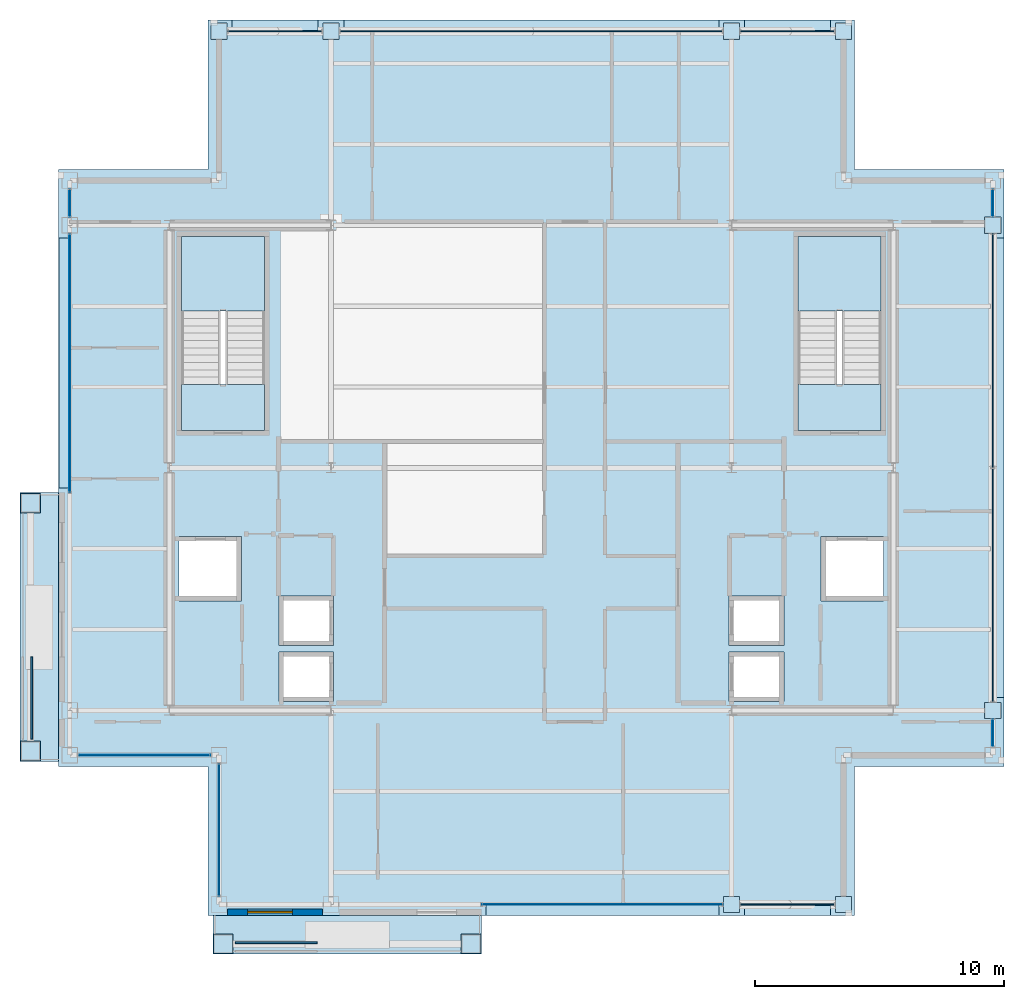
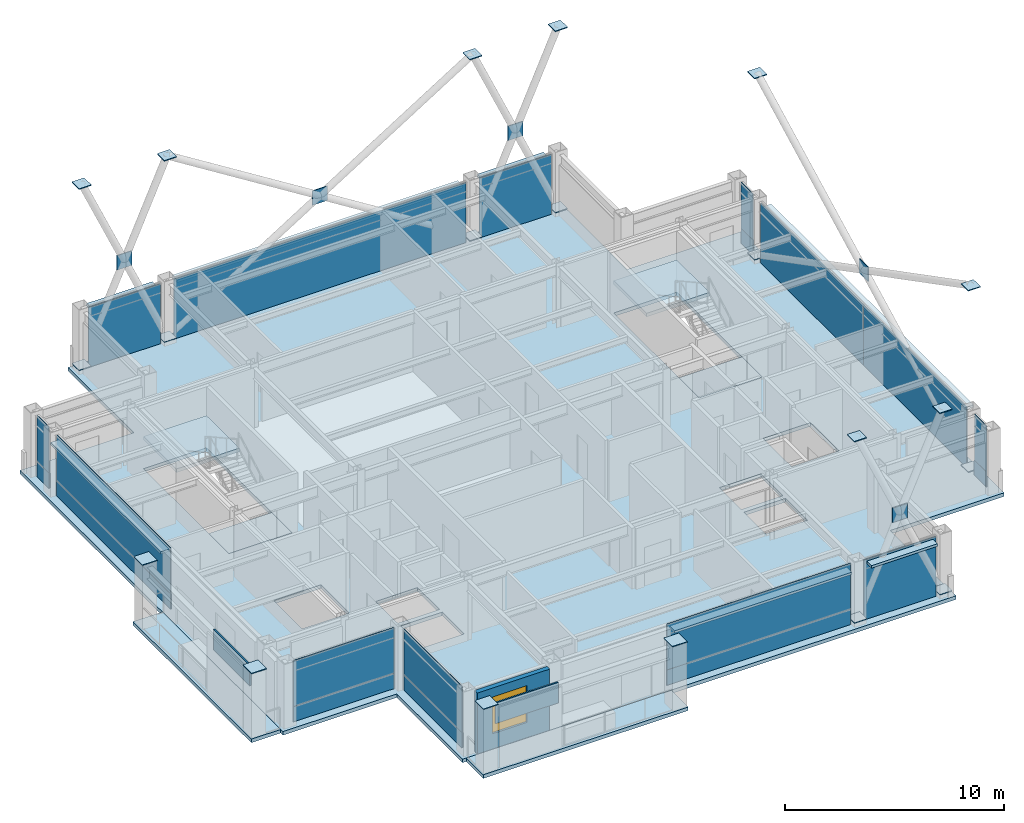
# One storey, part 20 of 26: 54 plates, 7 slabs, 1 wall, 1 window, 1 opening, 14 elements without a shape of their own.
"""IFC4 building model written with IfcOpenShell, lengths in metres."""

from ifc_helpers import new_model, si_unit, direction, frame, frame_2d, origin, origin_2d, place, context, subcontext, project, spatial, polyline, rectangle, outline, extrude, material, layer, layer_set, type_object, element, fill, aggregate, save


model = new_model("IFC4")

# Units and contexts
model_context = context("Model", 3, precision=1e-05, world=origin(), true_north=direction((0.0, 1.0)))
body_context = subcontext(model_context, "Body", "Model", "MODEL_VIEW")
ifc_project = project(units=[si_unit("LENGTHUNIT", "METRE"), si_unit("AREAUNIT", "SQUARE_METRE"), si_unit("VOLUMEUNIT", "CUBIC_METRE"), si_unit("PLANEANGLEUNIT", "RADIAN"), si_unit("MASSUNIT", "GRAM", prefix="KILO")], contexts=[model_context])

# Site, building, storey
site_placement = place(None, origin())
site = spatial("IfcSite", under=ifc_project, at=site_placement, CompositionType="ELEMENT")
building_placement = place(site_placement, origin())
building = spatial("IfcBuilding", under=site, at=building_placement, Name="Brelmoor Portico Tower", CompositionType="ELEMENT")
storey_placement = place(building_placement, frame((0.0, 0.0, 247.199951171875)))
storey = spatial("IfcBuildingStorey", under=building, at=storey_placement, Name="L65", CompositionType="ELEMENT", Elevation=247.199951171875)

# Plates
ifc_material_1 = material(Name="Steel Q355B", Category="steel")
ifc_layer_1 = layer(ifc_material_1, 0.044921875)
ifc_layer_set_1 = layer_set([ifc_layer_1], Name="Steel Q355B")
plate_type_1 = type_object("IfcPlateType", Name="PT-CAP-650", PredefinedType="SHEET", material=ifc_layer_set_1)
for number, where, z_axis, x_axis, name in (
    (1, (-12.3798828125, -19.1298828125, 3.60009765625), (0.0, 0.0, 1.0), (1.0, 0.0, 0.0), "L65 Proud Picture-Frame Pier PFJ-S1 Welded Head Cap Plate"),
    (2, (-2.419921875, -19.1298828125, 3.60009765625), (0.0, 0.0, 1.0), (1.0, 0.0, 0.0), "L65 Proud Picture-Frame Pier PFJ-S2 Welded Head Cap Plate"),
    (3, (-20.1298828125, -11.3798828125, 3.60009765625), (0.0, 0.0, 1.0), (0.0, 1.0, 0.0), "L65 Proud Picture-Frame Pier PFJ-W1 Welded Head Cap Plate"),
    (4, (-20.1298828125, -1.419921875, 3.60009765625), (0.0, 0.0, 1.0), (0.0, 1.0, 0.0), "L65 Proud Picture-Frame Pier PFJ-W2 Welded Head Cap Plate"),
):
    element("IfcPlate", number, at=place(storey_placement, frame(where, z_axis=z_axis, x_axis=x_axis)), inside=storey, type_object=plate_type_1, Name=name, PredefinedType="SHEET", context=body_context, shape_type="SweptSolid", body=[
        extrude(rectangle(XDim=0.7900390625, YDim=0.7900390625, at=origin_2d()), origin(), (0.0, 0.0, 1.0), 0.0400390625),
    ])
for number, where, z_axis, x_axis, name in (
    (5, (8.050048828125, -17.550048828125, 0.2275390625), (0.0, 0.0, 1.0), (1.0, 0.0, 0.0), "L65 Continuous Mega-X Brace 145A Joint Cap Plate 1"),
    (6, (12.550048828125, -17.550048828125, 10.32763671875), (0.0, 0.0, 1.0), (1.0, 0.0, 0.0), "L65 Continuous Mega-X Brace 145A Joint Cap Plate 2"),
    (7, (12.550048828125, -17.550048828125, 0.2275390625), (0.0, 0.0, 1.0), (1.0, 0.0, 0.0), "L65 Split Mega-X Brace 145B1 Joint Cap Plate 1"),
    (8, (8.050048828125, -17.550048828125, 10.32763671875), (0.0, 0.0, 1.0), (1.0, 0.0, 0.0), "L65 Split Mega-X Brace 145B2 Joint Cap Plate 2"),
    (9, (-12.550048828125, 17.550048828125, 0.2275390625), (0.0, 0.0, 1.0), (1.0, 0.0, 0.0), "L65 Continuous Mega-X Brace 146A Joint Cap Plate 1"),
    (10, (-8.050048828125, 17.550048828125, 10.32763671875), (0.0, 0.0, 1.0), (1.0, 0.0, 0.0), "L65 Continuous Mega-X Brace 146A Joint Cap Plate 2"),
    (11, (-8.050048828125, 17.550048828125, 0.2275390625), (0.0, 0.0, 1.0), (1.0, 0.0, 0.0), "L65 Split Mega-X Brace 146B1 Joint Cap Plate 1"),
    (12, (-12.550048828125, 17.550048828125, 10.32763671875), (0.0, 0.0, 1.0), (1.0, 0.0, 0.0), "L65 Split Mega-X Brace 146B2 Joint Cap Plate 2"),
    (13, (8.050048828125, 17.550048828125, 10.32763671875), (0.0, 0.0, 1.0), (1.0, 0.0, 0.0), "L65 Continuous Mega-X Brace 147A Joint Cap Plate 2"),
    (14, (8.050048828125, 17.550048828125, 0.2275390625), (0.0, 0.0, 1.0), (1.0, 0.0, 0.0), "L65 Split Mega-X Brace 147B1 Joint Cap Plate 1"),
    (15, (12.550048828125, 17.550048828125, 10.32763671875), (0.0, 0.0, 1.0), (1.0, 0.0, 0.0), "L65 Continuous Mega-X Brace 148A Joint Cap Plate 2"),
    (16, (12.550048828125, 17.550048828125, 0.2275390625), (0.0, 0.0, 1.0), (1.0, 0.0, 0.0), "L65 Split Mega-X Brace 148B1 Joint Cap Plate 1"),
    (17, (18.550048828125, -9.75, 0.2275390625), (0.0, 0.0, 1.0), (1.0, 0.0, 0.0), "L65 Continuous Mega-X Brace 149A Joint Cap Plate 1"),
    (18, (18.550048828125, 9.75, 10.32763671875), (0.0, 0.0, 1.0), (1.0, 0.0, 0.0), "L65 Continuous Mega-X Brace 149A Joint Cap Plate 2"),
    (19, (18.550048828125, 9.75, 0.2275390625), (0.0, 0.0, 1.0), (1.0, 0.0, 0.0), "L65 Split Mega-X Brace 149B1 Joint Cap Plate 1"),
    (20, (18.550048828125, -9.75, 10.32763671875), (0.0, 0.0, 1.0), (1.0, 0.0, 0.0), "L65 Split Mega-X Brace 149B2 Joint Cap Plate 2"),
):
    element("IfcPlate", number, at=place(storey_placement, frame(where, z_axis=z_axis, x_axis=x_axis)), inside=storey, type_object=plate_type_1, Name=name, PredefinedType="SHEET", context=body_context, shape_type="SweptSolid", body=[
        extrude(rectangle(XDim=0.64990234375, YDim=0.64990234375, at=origin_2d()), origin(), (0.0, 0.0, 1.0), 0.044921875),
    ])

# Curtain wall, plate
ifc_material_2 = material(Name="Anodised Aluminium Alloy 6063-T6", Category="aluminium")
ifc_layer_2 = layer(ifc_material_2, 0.179931640625)
ifc_layer_set_2 = layer_set([ifc_layer_2], Name="Anodised Aluminium Alloy 6063-T6")
curtain_wall_type_1 = type_object("IfcCurtainWallType", Name="CW-TOWER-Z4", PredefinedType="NOTDEFINED", material=ifc_layer_set_2)
curtain_wall_1_placement = place(storey_placement, origin())
curtain_wall_1 = element("IfcCurtainWall", 21, at=curtain_wall_1_placement, inside=storey, type_object=curtain_wall_type_1, Name="L65 Curtain Wall CW-L65-1R-1", PredefinedType="NOTDEFINED")
ifc_material_3 = material(Name="Double-Silver Low-E Insulated Glazing", Category="glass")
ifc_layer_3 = layer(ifc_material_3, 0.035888671875)
ifc_layer_set_3 = layer_set([ifc_layer_3], Name="Double-Silver Low-E Insulated Glazing")
plate_type_2 = type_object("IfcPlateType", Name="PT-CW-GLASS", PredefinedType="CURTAIN_PANEL", material=ifc_layer_set_3)
plate_1_placement = place(storey_placement, frame((2.857421875, -17.550048828125, 0.85009765625), z_axis=(0.0, 0.0, 1.0), x_axis=(1.0, 0.0, 0.0)))
plate_1 = element("IfcPlate", 22, at=plate_1_placement, type_object=plate_type_2, Name="CW-L65-1R-1 Vision Glass Panel 00", PredefinedType="CURTAIN_PANEL", context=body_context, shape_type="SweptSolid", body=[
    extrude(rectangle(XDim=9.68505859375, YDim=0.035888671875, at=origin_2d()), origin(), (0.0, 0.0, 1.0), 2.550048828125),
])

curtain_wall_2_placement = place(storey_placement, origin())
curtain_wall_2 = element("IfcCurtainWall", 23, at=curtain_wall_2_placement, inside=storey, type_object=curtain_wall_type_1, Name="L65 Curtain Wall CW-L65-3R-1", PredefinedType="NOTDEFINED")
plate_2_placement = place(storey_placement, frame((-18.550048828125, 4.20751953125, 0.85009765625), z_axis=(0.0, 0.0, 1.0), x_axis=(0.0, 1.0, 0.0)))
plate_2 = element("IfcPlate", 24, at=plate_2_placement, type_object=plate_type_2, Name="CW-L65-3R-1 Vision Glass Panel 00", PredefinedType="CURTAIN_PANEL", context=body_context, shape_type="SweptSolid", body=[
    extrude(rectangle(XDim=10.385009765625, YDim=0.035888671875, at=origin_2d()), origin(), (0.0, 0.0, 1.0), 2.550048828125),
])

curtain_wall_3_placement = place(storey_placement, origin())
curtain_wall_3 = element("IfcCurtainWall", 25, at=curtain_wall_3_placement, inside=storey, type_object=curtain_wall_type_1, Name="L65 Curtain Wall CW-L65-3R-2", PredefinedType="NOTDEFINED")
plate_3_placement = place(storey_placement, frame((-18.550048828125, 10.64990234375, 0.85009765625), z_axis=(0.0, 0.0, 1.0), x_axis=(0.0, 1.0, 0.0)))
plate_3 = element("IfcPlate", 26, at=plate_3_placement, type_object=plate_type_2, Name="CW-L65-3R-2 Vision Glass Panel 00", PredefinedType="CURTAIN_PANEL", context=body_context, shape_type="SweptSolid", body=[
    extrude(rectangle(XDim=1.10009765625, YDim=0.035888671875, at=origin_2d()), origin(), (0.0, 0.0, 1.0), 2.550048828125),
])

curtain_wall_4_placement = place(storey_placement, origin())
curtain_wall_4 = element("IfcCurtainWall", 27, at=curtain_wall_4_placement, inside=storey, type_object=curtain_wall_type_1, Name="L65 Curtain Wall CW-L65-04-1", PredefinedType="NOTDEFINED")
plate_4_placement = place(storey_placement, frame((18.550048828125, -10.64990234375, 0.85009765625), z_axis=(0.0, 0.0, 1.0), x_axis=(0.0, 1.0, 0.0)))
plate_4 = element("IfcPlate", 28, at=plate_4_placement, type_object=plate_type_2, Name="CW-L65-04-1 Vision Glass Panel 00", PredefinedType="CURTAIN_PANEL", context=body_context, shape_type="SweptSolid", body=[
    extrude(rectangle(XDim=1.10009765625, YDim=0.035888671875, at=origin_2d()), origin(), (0.0, 0.0, 1.0), 2.550048828125),
])

curtain_wall_5_placement = place(storey_placement, origin())
curtain_wall_5 = element("IfcCurtainWall", 29, at=curtain_wall_5_placement, inside=storey, type_object=curtain_wall_type_1, Name="L65 Curtain Wall CW-L65-04-3", PredefinedType="NOTDEFINED")
plate_5_placement = place(storey_placement, frame((18.550048828125, 10.64990234375, 0.85009765625), z_axis=(0.0, 0.0, 1.0), x_axis=(0.0, 1.0, 0.0)))
plate_5 = element("IfcPlate", 30, at=plate_5_placement, type_object=plate_type_2, Name="CW-L65-04-3 Vision Glass Panel 00", PredefinedType="CURTAIN_PANEL", context=body_context, shape_type="SweptSolid", body=[
    extrude(rectangle(XDim=1.10009765625, YDim=0.035888671875, at=origin_2d()), origin(), (0.0, 0.0, 1.0), 2.550048828125),
])

ifc_layer_4 = layer(ifc_material_2, 0.179931640625)
ifc_layer_set_4 = layer_set([ifc_layer_4], Name="Anodised Aluminium Alloy 6063-T6")
curtain_wall_type_2 = type_object("IfcCurtainWallType", Name="CW-NOTCH-CHAMFER", PredefinedType="NOTDEFINED", material=ifc_layer_set_4)
curtain_wall_6_placement = place(storey_placement, origin())
curtain_wall_6 = element("IfcCurtainWall", 31, at=curtain_wall_6_placement, inside=storey, type_object=curtain_wall_type_2, Name="L65 Curtain Wall CWN-L65-SWH", PredefinedType="NOTDEFINED")
plate_6_placement = place(storey_placement, frame((-15.550048828125, -11.550048828125, 0.85009765625), z_axis=(0.0, 0.0, 1.0), x_axis=(1.0, 0.0, 0.0)))
plate_6 = element("IfcPlate", 32, at=plate_6_placement, type_object=plate_type_2, Name="CWN-L65-SWH Vision Glass Panel 00", PredefinedType="CURTAIN_PANEL", context=body_context, shape_type="SweptSolid", body=[
    extrude(rectangle(XDim=5.300048828125, YDim=0.035888671875, at=origin_2d()), origin(), (0.0, 0.0, 1.0), 2.550048828125),
])

curtain_wall_7_placement = place(storey_placement, origin())
curtain_wall_7 = element("IfcCurtainWall", 33, at=curtain_wall_7_placement, inside=storey, type_object=curtain_wall_type_2, Name="L65 Curtain Wall CWN-L65-SWV", PredefinedType="NOTDEFINED")
plate_7_placement = place(storey_placement, frame((-12.550048828125, -14.550048828125, 0.85009765625), z_axis=(0.0, 0.0, 1.0), x_axis=(0.0, 1.0, 0.0)))
plate_7 = element("IfcPlate", 34, at=plate_7_placement, type_object=plate_type_2, Name="CWN-L65-SWV Vision Glass Panel 00", PredefinedType="CURTAIN_PANEL", context=body_context, shape_type="SweptSolid", body=[
    extrude(rectangle(XDim=5.300048828125, YDim=0.035888671875, at=origin_2d()), origin(), (0.0, 0.0, 1.0), 2.550048828125),
])

# Plate
ifc_material_4 = material(Name="Pale Champagne Anodised Aluminium Panel", Category="aluminium")
ifc_layer_5 = layer(ifc_material_4, 0.050048828125)
ifc_layer_set_5 = layer_set([ifc_layer_5], Name="Pale Champagne Anodised Aluminium Panel")
plate_type_3 = type_object("IfcPlateType", Name="PT-CW-SPANDREL", PredefinedType="SHEET", material=ifc_layer_set_5)
plate_8_placement = place(storey_placement, frame((2.857421875, -17.550048828125, 0.0), z_axis=(0.0, 0.0, 1.0), x_axis=(1.0, 0.0, 0.0)))
plate_8 = element("IfcPlate", 35, at=plate_8_placement, type_object=plate_type_3, Name="CW-L65-1R-1 Spandrel Panel 00", PredefinedType="SHEET", context=body_context, shape_type="SweptSolid", body=[
    extrude(rectangle(XDim=9.68505859375, YDim=0.050048828125, at=origin_2d()), origin(), (0.0, 0.0, 1.0), 0.85009765625),
])

aggregate(curtain_wall_1, [plate_8, plate_1])

# Curtain wall, plate
ifc_layer_6 = layer(ifc_material_2, 0.179931640625)
ifc_layer_set_6 = layer_set([ifc_layer_6], Name="Anodised Aluminium Alloy 6063-T6")
curtain_wall_type_3 = type_object("IfcCurtainWallType", Name="CW-TOWER-Z4-XB", PredefinedType="NOTDEFINED", material=ifc_layer_set_6)
curtain_wall_8_placement = place(storey_placement, origin())
curtain_wall_8 = element("IfcCurtainWall", 36, at=curtain_wall_8_placement, inside=storey, type_object=curtain_wall_type_3, Name="L65 Curtain Wall CW-L65-1R-2", PredefinedType="NOTDEFINED")
plate_9_placement = place(storey_placement, frame((10.300048828125, -17.550048828125, 0.0), z_axis=(0.0, 0.0, 1.0), x_axis=(1.0, 0.0, 0.0)))
plate_9 = element("IfcPlate", 37, at=plate_9_placement, type_object=plate_type_3, Name="CW-L65-1R-2 Spandrel Panel 00", PredefinedType="SHEET", context=body_context, shape_type="SweptSolid", body=[
    extrude(rectangle(XDim=3.800048828125, YDim=0.050048828125, at=origin_2d()), origin(), (0.0, 0.0, 1.0), 3.33740234375),
])
aggregate(curtain_wall_8, [plate_9])

curtain_wall_9_placement = place(storey_placement, origin())
curtain_wall_9 = element("IfcCurtainWall", 38, at=curtain_wall_9_placement, inside=storey, type_object=curtain_wall_type_3, Name="L65 Curtain Wall CW-L65-02-1", PredefinedType="NOTDEFINED")
plate_10_placement = place(storey_placement, frame((-10.300048828125, 17.550048828125, 0.0), z_axis=(0.0, 0.0, 1.0), x_axis=(1.0, 0.0, 0.0)))
plate_10 = element("IfcPlate", 39, at=plate_10_placement, type_object=plate_type_3, Name="CW-L65-02-1 Spandrel Panel 00", PredefinedType="SHEET", context=body_context, shape_type="SweptSolid", body=[
    extrude(rectangle(XDim=3.800048828125, YDim=0.050048828125, at=origin_2d()), origin(), (0.0, 0.0, 1.0), 3.33740234375),
])
aggregate(curtain_wall_9, [plate_10])

curtain_wall_10_placement = place(storey_placement, origin())
curtain_wall_10 = element("IfcCurtainWall", 40, at=curtain_wall_10_placement, inside=storey, type_object=curtain_wall_type_3, Name="L65 Curtain Wall CW-L65-02-2", PredefinedType="NOTDEFINED")
plate_11_placement = place(storey_placement, frame((0.0, 17.550048828125, 0.0), z_axis=(0.0, 0.0, 1.0), x_axis=(1.0, 0.0, 0.0)))
plate_11 = element("IfcPlate", 41, at=plate_11_placement, type_object=plate_type_3, Name="CW-L65-02-2 Spandrel Panel 00", PredefinedType="SHEET", context=body_context, shape_type="SweptSolid", body=[
    extrude(rectangle(XDim=15.39990234375, YDim=0.050048828125, at=origin_2d()), origin(), (0.0, 0.0, 1.0), 3.33740234375),
])
aggregate(curtain_wall_10, [plate_11])

curtain_wall_11_placement = place(storey_placement, origin())
curtain_wall_11 = element("IfcCurtainWall", 42, at=curtain_wall_11_placement, inside=storey, type_object=curtain_wall_type_3, Name="L65 Curtain Wall CW-L65-02-3", PredefinedType="NOTDEFINED")
plate_12_placement = place(storey_placement, frame((10.300048828125, 17.550048828125, 0.0), z_axis=(0.0, 0.0, 1.0), x_axis=(1.0, 0.0, 0.0)))
plate_12 = element("IfcPlate", 43, at=plate_12_placement, type_object=plate_type_3, Name="CW-L65-02-3 Spandrel Panel 00", PredefinedType="SHEET", context=body_context, shape_type="SweptSolid", body=[
    extrude(rectangle(XDim=3.800048828125, YDim=0.050048828125, at=origin_2d()), origin(), (0.0, 0.0, 1.0), 3.33740234375),
])
aggregate(curtain_wall_11, [plate_12])

# Plate
plate_13_placement = place(storey_placement, frame((-18.550048828125, 4.20751953125, 0.0), z_axis=(0.0, 0.0, 1.0), x_axis=(0.0, 1.0, 0.0)))
plate_13 = element("IfcPlate", 44, at=plate_13_placement, type_object=plate_type_3, Name="CW-L65-3R-1 Spandrel Panel 00", PredefinedType="SHEET", context=body_context, shape_type="SweptSolid", body=[
    extrude(rectangle(XDim=10.385009765625, YDim=0.050048828125, at=origin_2d()), origin(), (0.0, 0.0, 1.0), 0.85009765625),
])

aggregate(curtain_wall_2, [plate_13, plate_2])

plate_14_placement = place(storey_placement, frame((-18.550048828125, 10.64990234375, 0.0), z_axis=(0.0, 0.0, 1.0), x_axis=(0.0, 1.0, 0.0)))
plate_14 = element("IfcPlate", 45, at=plate_14_placement, type_object=plate_type_3, Name="CW-L65-3R-2 Spandrel Panel 00", PredefinedType="SHEET", context=body_context, shape_type="SweptSolid", body=[
    extrude(rectangle(XDim=1.10009765625, YDim=0.050048828125, at=origin_2d()), origin(), (0.0, 0.0, 1.0), 0.85009765625),
])

aggregate(curtain_wall_3, [plate_14, plate_3])

plate_15_placement = place(storey_placement, frame((18.550048828125, -10.64990234375, 0.0), z_axis=(0.0, 0.0, 1.0), x_axis=(0.0, 1.0, 0.0)))
plate_15 = element("IfcPlate", 46, at=plate_15_placement, type_object=plate_type_3, Name="CW-L65-04-1 Spandrel Panel 00", PredefinedType="SHEET", context=body_context, shape_type="SweptSolid", body=[
    extrude(rectangle(XDim=1.10009765625, YDim=0.050048828125, at=origin_2d()), origin(), (0.0, 0.0, 1.0), 0.85009765625),
])

aggregate(curtain_wall_4, [plate_15, plate_4])

# Curtain wall, plates
curtain_wall_12_placement = place(storey_placement, origin())
curtain_wall_12 = element("IfcCurtainWall", 47, at=curtain_wall_12_placement, inside=storey, type_object=curtain_wall_type_3, Name="L65 Curtain Wall CW-L65-04-2", PredefinedType="NOTDEFINED")
plate_16_placement = place(storey_placement, frame((18.550048828125, -4.70751953125, 0.0), z_axis=(0.0, 0.0, 1.0), x_axis=(0.0, 1.0, 0.0)))
plate_16 = element("IfcPlate", 48, at=plate_16_placement, type_object=plate_type_3, Name="CW-L65-04-2 Spandrel Panel 00", PredefinedType="SHEET", context=body_context, shape_type="SweptSolid", body=[
    extrude(rectangle(XDim=9.385009765625, YDim=0.050048828125, at=origin_2d()), origin(), (0.0, 0.0, 1.0), 3.33740234375),
])
plate_17_placement = place(storey_placement, frame((18.550048828125, 4.70751953125, 0.0), z_axis=(0.0, 0.0, 1.0), x_axis=(0.0, 1.0, 0.0)))
plate_17 = element("IfcPlate", 49, at=plate_17_placement, type_object=plate_type_3, Name="CW-L65-04-2 Spandrel Panel 01", PredefinedType="SHEET", context=body_context, shape_type="SweptSolid", body=[
    extrude(rectangle(XDim=9.385009765625, YDim=0.050048828125, at=origin_2d()), origin(), (0.0, 0.0, 1.0), 3.33740234375),
])
aggregate(curtain_wall_12, [plate_16, plate_17])

# Plate
plate_18_placement = place(storey_placement, frame((18.550048828125, 10.64990234375, 0.0), z_axis=(0.0, 0.0, 1.0), x_axis=(0.0, 1.0, 0.0)))
plate_18 = element("IfcPlate", 50, at=plate_18_placement, type_object=plate_type_3, Name="CW-L65-04-3 Spandrel Panel 00", PredefinedType="SHEET", context=body_context, shape_type="SweptSolid", body=[
    extrude(rectangle(XDim=1.10009765625, YDim=0.050048828125, at=origin_2d()), origin(), (0.0, 0.0, 1.0), 0.85009765625),
])

aggregate(curtain_wall_5, [plate_18, plate_5])

plate_19_placement = place(storey_placement, frame((-15.550048828125, -11.550048828125, 0.0), z_axis=(0.0, 0.0, 1.0), x_axis=(1.0, 0.0, 0.0)))
plate_19 = element("IfcPlate", 51, at=plate_19_placement, type_object=plate_type_3, Name="CWN-L65-SWH Spandrel Panel 00", PredefinedType="SHEET", context=body_context, shape_type="SweptSolid", body=[
    extrude(rectangle(XDim=5.300048828125, YDim=0.050048828125, at=origin_2d()), origin(), (0.0, 0.0, 1.0), 0.85009765625),
])

aggregate(curtain_wall_6, [plate_19, plate_6])

plate_20_placement = place(storey_placement, frame((-12.550048828125, -14.550048828125, 0.0), z_axis=(0.0, 0.0, 1.0), x_axis=(0.0, 1.0, 0.0)))
plate_20 = element("IfcPlate", 52, at=plate_20_placement, type_object=plate_type_3, Name="CWN-L65-SWV Spandrel Panel 00", PredefinedType="SHEET", context=body_context, shape_type="SweptSolid", body=[
    extrude(rectangle(XDim=5.300048828125, YDim=0.050048828125, at=origin_2d()), origin(), (0.0, 0.0, 1.0), 0.85009765625),
])

aggregate(curtain_wall_7, [plate_20, plate_7])

# Plates
ifc_layer_7 = layer(ifc_material_1, 0.050048828125)
ifc_layer_set_7 = layer_set([ifc_layer_7], Name="Steel Q355B")
plate_type_4 = type_object("IfcPlateType", Name="PT-GUSSET-800", PredefinedType="USERDEFINED", material=ifc_layer_set_7)
for number, where, z_axis, x_axis, name in (
    (53, (10.300048828125, -17.550048828125, 4.89990234375), (0.0, 0.0, 1.0), (1.0, 0.0, 0.0), "L65 Perimeter Mega-Brace Gusset 145"),
    (54, (-10.300048828125, 17.550048828125, 4.89990234375), (0.0, 0.0, 1.0), (1.0, 0.0, 0.0), "L65 Perimeter Mega-Brace Gusset 146"),
    (55, (0.0, 17.550048828125, 4.89990234375), (0.0, 0.0, 1.0), (1.0, 0.0, 0.0), "L65 Perimeter Mega-Brace Gusset 147"),
    (56, (10.300048828125, 17.550048828125, 4.89990234375), (0.0, 0.0, 1.0), (1.0, 0.0, 0.0), "L65 Perimeter Mega-Brace Gusset 148"),
):
    element("IfcPlate", number, at=place(storey_placement, frame(where, z_axis=z_axis, x_axis=x_axis)), inside=storey, type_object=plate_type_4, Name=name, ObjectType="GUSSET PLATE", PredefinedType="USERDEFINED", context=body_context, shape_type="SweptSolid", body=[
        extrude(rectangle(XDim=0.800048828125, YDim=0.050048828125, at=origin_2d()), origin(), (0.0, 0.0, 1.0), 0.800048828125),
    ])
plate_21_placement = place(storey_placement, frame((18.550048828125, 0.0, 4.89990234375), z_axis=(0.0, 0.0, 1.0), x_axis=(1.0, 0.0, 0.0)))
element("IfcPlate", 57, at=plate_21_placement, inside=storey, type_object=plate_type_4, Name="L65 Perimeter Mega-Brace Gusset 149", ObjectType="GUSSET PLATE", PredefinedType="USERDEFINED", context=body_context, shape_type="SweptSolid", body=[
    extrude(rectangle(XDim=0.050048828125, YDim=0.800048828125, at=origin_2d()), origin(), (0.0, 0.0, 1.0), 0.800048828125),
])
ifc_material_5 = material(Name="Powder-Coated Aluminium Shuttered Jalousie Louvre", Category="aluminium")
ifc_layer_8 = layer(ifc_material_5, 0.06005859375)
ifc_layer_set_8 = layer_set([ifc_layer_8], Name="Powder-Coated Aluminium Shuttered Jalousie Louvre")
plate_type_5 = type_object("IfcPlateType", Name="PT-JALOUSIE-SHUTTER", PredefinedType="SHEET", material=ifc_layer_set_8)
for number, where, z_axis, x_axis, name in (
    (58, (-10.25, -19.080078125, 2.275146484375), (0.0, 0.0, 1.0), (1.0, 0.0, 0.0), "L65 Shuttered Veranda Screen S"),
    (59, (-20.080078125, -9.25, 2.275146484375), (0.0, 0.0, 1.0), (0.0, 1.0, 0.0), "L65 Shuttered Veranda Screen W"),
):
    element("IfcPlate", number, at=place(storey_placement, frame(where, z_axis=z_axis, x_axis=x_axis)), inside=storey, type_object=plate_type_5, Name=name, PredefinedType="SHEET", context=body_context, shape_type="SweptSolid", body=[
        extrude(rectangle(XDim=3.300048828125, YDim=0.080078125, at=origin_2d()), origin(), (0.0, 0.0, 1.0), 1.14990234375),
    ])
ifc_material_6 = material(Name="Pale Champagne Perforated Aluminium Solar Screen", Category="aluminium")
ifc_layer_9 = layer(ifc_material_6, 0.054931640625)
ifc_layer_set_9 = layer_set([ifc_layer_9], Name="Pale Champagne Perforated Aluminium Solar Screen")
plate_type_6 = type_object("IfcPlateType", Name="PT-SOLAR-LOUVRE", PredefinedType="SHEET", material=ifc_layer_set_9)
plate_22_placement = place(storey_placement, frame((2.857421875, -17.760009765625, 3.09033203125), z_axis=(0.0, 0.0, 1.0), x_axis=(1.0, 0.0, 0.0)))
element("IfcPlate", 60, at=plate_22_placement, inside=storey, type_object=plate_type_6, Name="CW-L65-1R-1 Caribbean Brise-Soleil Solar Screen", PredefinedType="SHEET", context=body_context, shape_type="SweptSolid", body=[
    extrude(rectangle(XDim=9.35498046875, YDim=0.4599609375, at=origin_2d()), origin(), (0.0, 0.0, 1.0), 0.139892578125),
])
for number, where, z_axis, x_axis, name in (
    (61, (10.300048828125, -17.760009765625, 3.09033203125), (0.0, 0.0, 1.0), (1.0, 0.0, 0.0), "CW-L65-1R-2 Caribbean Brise-Soleil Solar Screen"),
    (62, (-10.300048828125, 17.760009765625, 3.09033203125), (0.0, 0.0, 1.0), (1.0, 0.0, 0.0), "CW-L65-02-1 Caribbean Brise-Soleil Solar Screen"),
):
    element("IfcPlate", number, at=place(storey_placement, frame(where, z_axis=z_axis, x_axis=x_axis)), inside=storey, type_object=plate_type_6, Name=name, PredefinedType="SHEET", context=body_context, shape_type="SweptSolid", body=[
        extrude(rectangle(XDim=3.469970703125, YDim=0.4599609375, at=origin_2d()), origin(), (0.0, 0.0, 1.0), 0.139892578125),
    ])
plate_23_placement = place(storey_placement, frame((0.0, 17.760009765625, 3.09033203125), z_axis=(0.0, 0.0, 1.0), x_axis=(1.0, 0.0, 0.0)))
element("IfcPlate", 63, at=plate_23_placement, inside=storey, type_object=plate_type_6, Name="CW-L65-02-2 Caribbean Brise-Soleil Solar Screen", PredefinedType="SHEET", context=body_context, shape_type="SweptSolid", body=[
    extrude(rectangle(XDim=15.070068359375, YDim=0.4599609375, at=origin_2d()), origin(), (0.0, 0.0, 1.0), 0.139892578125),
])
plate_24_placement = place(storey_placement, frame((10.300048828125, 17.760009765625, 3.09033203125), z_axis=(0.0, 0.0, 1.0), x_axis=(1.0, 0.0, 0.0)))
element("IfcPlate", 64, at=plate_24_placement, inside=storey, type_object=plate_type_6, Name="CW-L65-02-3 Caribbean Brise-Soleil Solar Screen", PredefinedType="SHEET", context=body_context, shape_type="SweptSolid", body=[
    extrude(rectangle(XDim=3.469970703125, YDim=0.4599609375, at=origin_2d()), origin(), (0.0, 0.0, 1.0), 0.139892578125),
])
plate_25_placement = place(storey_placement, frame((-18.760009765625, 4.20751953125, 3.09033203125), z_axis=(0.0, 0.0, 1.0), x_axis=(0.0, 1.0, 0.0)))
element("IfcPlate", 65, at=plate_25_placement, inside=storey, type_object=plate_type_6, Name="CW-L65-3R-1 Caribbean Brise-Soleil Solar Screen", PredefinedType="SHEET", context=body_context, shape_type="SweptSolid", body=[
    extrude(rectangle(XDim=10.054931640625, YDim=0.4599609375, at=origin_2d()), origin(), (0.0, 0.0, 1.0), 0.139892578125),
])
plate_26_placement = place(storey_placement, frame((18.760009765625, 0.0, 3.09033203125), z_axis=(0.0, 0.0, 1.0), x_axis=(0.0, 1.0, 0.0)))
element("IfcPlate", 66, at=plate_26_placement, inside=storey, type_object=plate_type_6, Name="CW-L65-04-2 Caribbean Brise-Soleil Solar Screen", PredefinedType="SHEET", context=body_context, shape_type="SweptSolid", body=[
    extrude(rectangle(XDim=18.469970703125, YDim=0.4599609375, at=origin_2d()), origin(), (0.0, 0.0, 1.0), 0.139892578125),
])

# Slabs
ifc_material_7 = material(Name="Concrete C40", Category="concrete")
ifc_layer_10 = layer(ifc_material_7, 0.199951171875)
ifc_layer_set_10 = layer_set([ifc_layer_10], Name="Concrete C40")
slab_type_1 = type_object("IfcSlabType", Name="SL-BALCONY-200", PredefinedType="FLOOR", material=ifc_layer_set_10)
slab_1_placement = place(storey_placement, frame((0.0, 0.0, -0.199951171875)))
element("IfcSlab", 67, at=slab_1_placement, inside=storey, type_object=slab_type_1, Name="L65 Loggia Tree Balcony Slab S", PredefinedType="FLOOR", context=body_context, shape_type="SweptSolid", body=[
    extrude(outline(polyline([(-12.800048828125, -19.550048828125), (-2.0, -19.550048828125), (-2.0, -18.0), (-12.800048828125, -18.0), (-12.800048828125, -19.550048828125)])), origin(), (0.0, 0.0, 1.0), 0.199951171875),
])
slab_2_placement = place(storey_placement, frame((0.0, 0.0, -0.199951171875)))
element("IfcSlab", 68, at=slab_2_placement, inside=storey, type_object=slab_type_1, Name="L65 Loggia Tree Balcony Slab W", PredefinedType="FLOOR", context=body_context, shape_type="SweptSolid", body=[
    extrude(outline(polyline([(-20.550048828125, -11.800048828125), (-19.0, -11.800048828125), (-19.0, -1.0), (-20.550048828125, -1.0), (-20.550048828125, -11.800048828125)])), origin(), (0.0, 0.0, 1.0), 0.199951171875),
])
ifc_layer_11 = layer(ifc_material_7, 0.199951171875)
ifc_layer_set_11 = layer_set([ifc_layer_11], Name="Concrete C40")
slab_type_2 = type_object("IfcSlabType", Name="SL-FLOOR-200", PredefinedType="FLOOR", material=ifc_layer_set_11)
slab_3_placement = place(storey_placement, frame((0.0, 0.0, -0.199951171875)))
element("IfcSlab", 69, at=slab_3_placement, inside=storey, type_object=slab_type_2, Name="L65 Main Structural Floor Slab", PredefinedType="FLOOR", context=body_context, shape_type="SweptSolid", body=[
    extrude(outline(polyline([(-13.0, -18.0), (13.0, -18.0), (13.0, -12.0), (19.0, -12.0), (19.0, 12.0), (13.0, 12.0), (13.0, 18.0), (-13.0, 18.0), (-13.0, 12.0), (-19.0, 12.0), (-19.0, -12.0), (-13.0, -12.0), (-13.0, -18.0)]), holes=[polyline([(-10.72998046875, 1.5), (-10.72998046875, 9.300048828125), (-14.050048828125, 9.300048828125), (-14.050048828125, 1.5), (-10.72998046875, 1.5)]), polyline([(14.050048828125, 1.5), (14.050048828125, 9.300048828125), (10.72998046875, 9.300048828125), (10.72998046875, 1.5), (14.050048828125, 1.5)]), polyline([(-10.14990234375, -9.39990234375), (-7.949951171875, -9.39990234375), (-7.949951171875, -7.39990234375), (-10.14990234375, -7.39990234375), (-10.14990234375, -9.39990234375)]), polyline([(-10.14990234375, -7.14990234375), (-7.949951171875, -7.14990234375), (-7.949951171875, -5.14990234375), (-10.14990234375, -5.14990234375), (-10.14990234375, -7.14990234375)]), polyline([(7.949951171875, -9.39990234375), (10.14990234375, -9.39990234375), (10.14990234375, -7.39990234375), (7.949951171875, -7.39990234375), (7.949951171875, -9.39990234375)]), polyline([(7.949951171875, -7.14990234375), (10.14990234375, -7.14990234375), (10.14990234375, -5.14990234375), (7.949951171875, -5.14990234375), (7.949951171875, -7.14990234375)]), polyline([(-14.14990234375, -5.35009765625), (-11.64990234375, -5.35009765625), (-11.64990234375, -2.75), (-14.14990234375, -2.75), (-14.14990234375, -5.35009765625)]), polyline([(11.64990234375, -5.35009765625), (14.14990234375, -5.35009765625), (14.14990234375, -2.75), (11.64990234375, -2.75), (11.64990234375, -5.35009765625)])]), origin(), (0.0, 0.0, 1.0), 0.199951171875),
])

# Stair, slab
stair_type_1 = type_object("IfcStairType", Name="ST-CORE-W", PredefinedType="HALF_TURN_STAIR", material=ifc_material_7)
stair_1_placement = place(storey_placement, origin())
stair_1 = element("IfcStair", 70, at=stair_1_placement, inside=storey, type_object=stair_type_1, Name="L65 Protected Core Exit Stair ST-W", PredefinedType="HALF_TURN_STAIR")
ifc_layer_12 = layer(ifc_material_7, 0.179931640625)
ifc_layer_set_12 = layer_set([ifc_layer_12], Name="Concrete C40")
slab_type_3 = type_object("IfcSlabType", Name="SL-LANDING-180", PredefinedType="LANDING", material=ifc_layer_set_12)
slab_4_placement = place(storey_placement, frame((0.0, 0.0, 1.60009765625)))
slab_4 = element("IfcSlab", 71, at=slab_4_placement, type_object=slab_type_3, Name="ST-W landing 1", PredefinedType="LANDING", context=body_context, shape_type="SweptSolid", body=[
    extrude(outline(polyline([(-10.72998046875, 6.300048828125), (-10.72998046875, 9.300048828125), (-14.050048828125, 9.300048828125), (-14.050048828125, 6.300048828125), (-10.72998046875, 6.300048828125)])), origin(), (0.0, 0.0, 1.0), 0.199951171875),
])
aggregate(stair_1, [slab_4])

stair_type_2 = type_object("IfcStairType", Name="ST-CORE-E", PredefinedType="HALF_TURN_STAIR", material=ifc_material_7)
stair_2_placement = place(storey_placement, origin())
stair_2 = element("IfcStair", 72, at=stair_2_placement, inside=storey, type_object=stair_type_2, Name="L65 Protected Core Exit Stair ST-E", PredefinedType="HALF_TURN_STAIR")
slab_5_placement = place(storey_placement, frame((0.0, 0.0, 1.60009765625)))
slab_5 = element("IfcSlab", 73, at=slab_5_placement, type_object=slab_type_3, Name="ST-E landing 1", PredefinedType="LANDING", context=body_context, shape_type="SweptSolid", body=[
    extrude(outline(polyline([(14.050048828125, 6.300048828125), (14.050048828125, 9.300048828125), (10.72998046875, 9.300048828125), (10.72998046875, 6.300048828125), (14.050048828125, 6.300048828125)])), origin(), (0.0, 0.0, 1.0), 0.199951171875),
])
aggregate(stair_2, [slab_5])

# Slabs
ifc_layer_13 = layer(ifc_material_7, 0.199951171875)
ifc_layer_set_13 = layer_set([ifc_layer_13], Name="Concrete C40")
slab_type_4 = type_object("IfcSlabType", Name="SL-STAIR-FL200", PredefinedType="LANDING", material=ifc_layer_set_13)
slab_6_placement = place(storey_placement, frame((0.0, 0.0, -0.199951171875)))
element("IfcSlab", 74, at=slab_6_placement, inside=storey, type_object=slab_type_4, Name="L65 ST-W Structural Floor Landing Slab", PredefinedType="LANDING", context=body_context, shape_type="SweptSolid", body=[
    extrude(outline(polyline([(-10.72998046875, 1.5), (-10.72998046875, 3.35009765625), (-14.050048828125, 3.35009765625), (-14.050048828125, 1.5), (-10.72998046875, 1.5)])), origin(), (0.0, 0.0, 1.0), 0.199951171875),
])
slab_7_placement = place(storey_placement, frame((0.0, 0.0, -0.199951171875)))
element("IfcSlab", 75, at=slab_7_placement, inside=storey, type_object=slab_type_4, Name="L65 ST-E Structural Floor Landing Slab", PredefinedType="LANDING", context=body_context, shape_type="SweptSolid", body=[
    extrude(outline(polyline([(14.050048828125, 1.5), (14.050048828125, 3.35009765625), (10.72998046875, 3.35009765625), (10.72998046875, 1.5), (14.050048828125, 1.5)])), origin(), (0.0, 0.0, 1.0), 0.199951171875),
])

# Wall, opening, window
ifc_material_8 = material(Name="Precast Concrete C40 Insulated Facade Wall", Category="concrete")
ifc_layer_14 = layer(ifc_material_8, 0.25)
ifc_layer_set_14 = layer_set([ifc_layer_14], Name="Precast Concrete C40 Insulated Facade Wall")
wall_type = type_object("IfcWallType", Name="WL-EXT-250", PredefinedType="STANDARD", material=ifc_layer_set_14)
wall_placement = place(storey_placement, frame((-12.205078125, -17.860107421875, 0.0), z_axis=(0.0, 0.0, 1.0), x_axis=(1.0, 0.0, 0.0)))
wall = element("IfcWall", 76, at=wall_placement, inside=storey, type_object=wall_type, Name="L65 Loggia Threshold Wall S-1", PredefinedType="STANDARD", context=body_context, shape_type="SweptSolid", body=[
    extrude(rectangle(XDim=3.81005859375, YDim=0.25, at=frame_2d((1.905029296875, 0.0))), origin(), (0.0, 0.0, 1.0), 3.400146484375),
])
opening_placement = place(wall_placement, frame((0.804931640625, 0.0, 0.85009765625)))
opening = element("IfcOpeningElement", 77, at=opening_placement, cuts=wall, Name="Opening W-03C", PredefinedType="OPENING", context=body_context, shape_type="SweptSolid", body=[
    extrude(rectangle(XDim=1.800048828125, YDim=2.050048828125, at=frame_2d((0.89990234375, 1.02490234375))), frame((0.0, 0.135009765625, 0.0), z_axis=(0.0, -1.0, 0.0), x_axis=(1.0, 0.0, 0.0)), (0.0, 0.0, 1.0), 0.27001953125),
])
ifc_material_9 = material(Name="Thermally Broken Aluminium Low-E Window", Category="aluminium")
window_type = type_object("IfcWindowType", Name="WN-LOGGIA-1800x2050", PartitioningType="SINGLE_PANEL", PredefinedType="WINDOW", material=ifc_material_9)
window_placement = place(opening_placement, origin())
window = element("IfcWindow", 78, at=window_placement, inside=storey, type_object=window_type, Name="L65 Loggia Window S", OverallHeight=2.050048828125, OverallWidth=1.800048828125, PartitioningType="SINGLE_PANEL", PredefinedType="WINDOW", context=body_context, shape_type="SweptSolid", body=[
    extrude(rectangle(XDim=1.800048828125, YDim=2.050048828125, at=frame_2d((0.89990234375, 1.02490234375))), frame((0.0, 0.030029296875, 0.0), z_axis=(0.0, -1.0, 0.0), x_axis=(1.0, 0.0, 0.0)), (0.0, 0.0, 1.0), 0.06005859375),
])
fill(opening, window)

save(model, "model.ifc")
